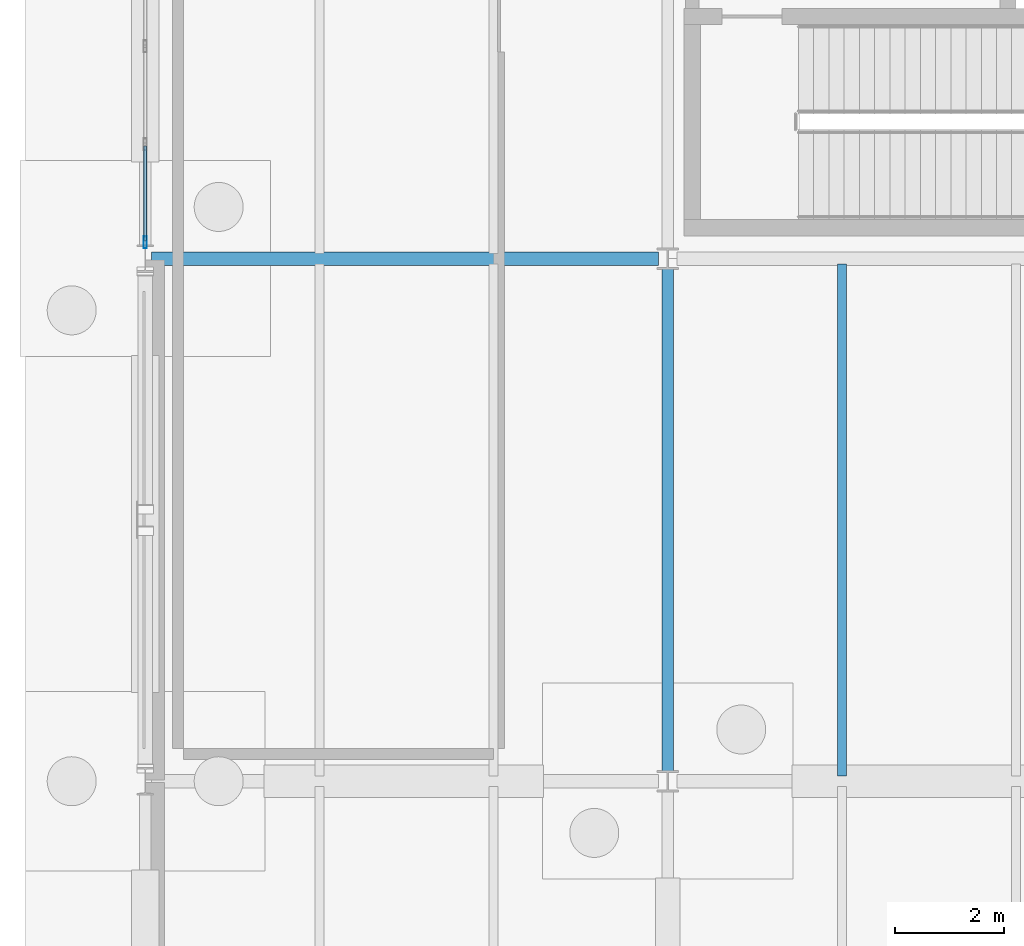
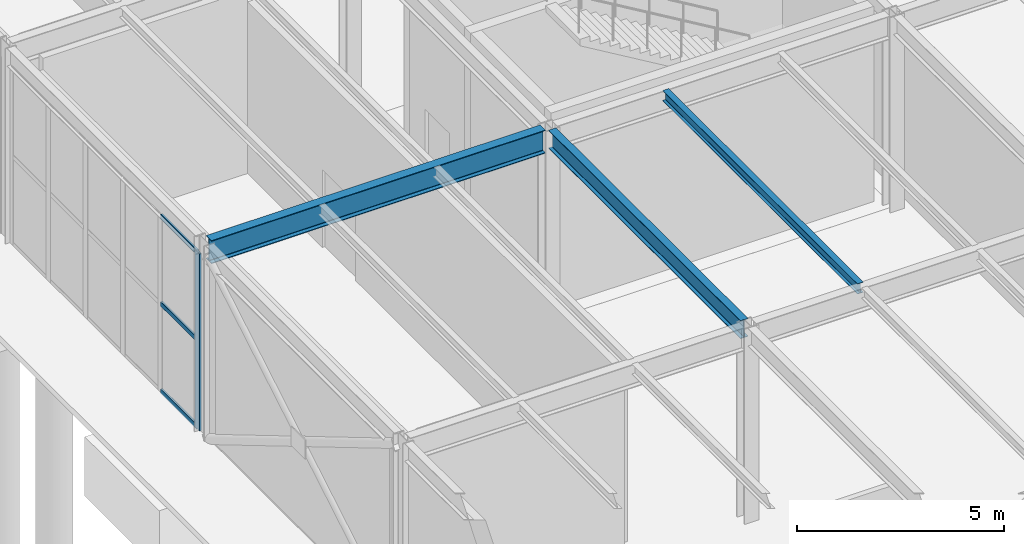
# One storey, part 37 of 142: 4 members, 3 beams, 1 element without a shape of its own.
"""IFC4 building model written with IfcOpenShell, lengths in metres."""

from ifc_helpers import new_model, si_unit, direction, frame, origin, origin_2d, place, context, subcontext, project, spatial, hollow_rectangle, i_section, extrude, material, material_profile, profile_set, type_object, element, aggregate, save


model = new_model("IFC4")

# Units and contexts
model_context = context("Model", 3, precision=1e-05, world=origin(), true_north=direction((0.0, 1.0)))
body_context = subcontext(model_context, "Body", "Model", "MODEL_VIEW")
ifc_project = project(units=[si_unit("LENGTHUNIT", "METRE"), si_unit("AREAUNIT", "SQUARE_METRE"), si_unit("VOLUMEUNIT", "CUBIC_METRE"), si_unit("PLANEANGLEUNIT", "RADIAN"), si_unit("MASSUNIT", "GRAM", prefix="KILO")], contexts=[model_context])

# Site, building, storey
site_placement = place(None, origin())
site = spatial("IfcSite", under=ifc_project, at=site_placement, CompositionType="ELEMENT")
building_placement = place(site_placement, origin())
building = spatial("IfcBuilding", under=site, at=building_placement, Name="Coralgate Yard Interchange", CompositionType="ELEMENT")
storey_placement = place(building_placement, origin())
storey = spatial("IfcBuildingStorey", under=building, at=storey_placement, Name="L00", CompositionType="ELEMENT", Elevation=0.0)

# Beams
ifc_material_1 = material(Name="Structural steel S355J2", Category="steel")
ifc_material_profile_1 = material_profile(ifc_material_1, i_section(OverallWidth=0.209228515625, OverallDepth=0.533203125, WebThickness=0.010009765625, FlangeThickness=0.015625, FilletRadius=0.0126953125, at=origin_2d()), Name="UB 533x210x92")
ifc_profile_set_1 = profile_set([ifc_material_profile_1], Name="Structural steel S355J2")
beam_type_1 = type_object("IfcBeamType", Name="BM-SB-1", PredefinedType="BEAM", material=ifc_profile_set_1)
beam_1_placement = place(storey_placement, frame((9.60009765625, 19.36669921875, 5.4833984375), z_axis=(0.0, 1.0, 0.0), x_axis=(-1.0, 0.0, 0.0)))
element("IfcBeam", 1, at=beam_1_placement, inside=storey, type_object=beam_type_1, Name="L00 primary grid girder X1 Y2-3", PredefinedType="BEAM", context=body_context, shape_type="SweptSolid", body=[
    extrude(i_section(OverallWidth=0.209228515625, OverallDepth=0.533203125, WebThickness=0.010009765625, FlangeThickness=0.015625, FilletRadius=0.0126953125, at=origin_2d()), origin(), (0.0, 0.0, 1.0), 9.2666015625),
])
ifc_material_profile_2 = material_profile(ifc_material_1, i_section(OverallWidth=0.253662109375, OverallDepth=0.68359375, WebThickness=0.012451171875, FlangeThickness=0.01904296875, FilletRadius=0.01513671875, at=origin_2d()), Name="UB 686x254x140")
ifc_profile_set_2 = profile_set([ifc_material_profile_2], Name="Structural steel S355J2")
beam_type_2 = type_object("IfcBeamType", Name="BM-SG-4", PredefinedType="BEAM", material=ifc_profile_set_2)
beam_2_placement = place(storey_placement, frame((0.1201171875, 28.800048828125, 5.408203125), z_axis=(1.0, 0.0, 0.0), x_axis=(0.0, 1.0, 0.0)))
element("IfcBeam", 2, at=beam_2_placement, inside=storey, type_object=beam_type_2, Name="L00 primary grid beam Y3 X0-1", PredefinedType="BEAM", context=body_context, shape_type="SweptSolid", body=[
    extrude(i_section(OverallWidth=0.253662109375, OverallDepth=0.68359375, WebThickness=0.012451171875, FlangeThickness=0.01904296875, FilletRadius=0.01513671875, at=origin_2d()), origin(), (0.0, 0.0, 1.0), 9.310302734375),
])
ifc_material_profile_3 = material_profile(ifc_material_1, i_section(OverallWidth=0.1650390625, OverallDepth=0.303466796875, WebThickness=0.006103515625, FlangeThickness=0.01025390625, FilletRadius=0.0087890625, at=origin_2d()), Name="UB 305x165x40")
ifc_profile_set_3 = profile_set([ifc_material_profile_3], Name="Structural steel S355J2")
beam_type_3 = type_object("IfcBeamType", Name="BM-SJ-1", PredefinedType="JOIST", material=ifc_profile_set_3)
beam_3_placement = place(storey_placement, frame((12.800048828125, 19.296875, 5.598388671875), z_axis=(0.0, 1.0, 0.0), x_axis=(-1.0, 0.0, 0.0)))
element("IfcBeam", 3, at=beam_3_placement, inside=storey, type_object=beam_type_3, Name="L00 composite floor joist 1-2-1", PredefinedType="JOIST", context=body_context, shape_type="SweptSolid", body=[
    extrude(i_section(OverallWidth=0.1650390625, OverallDepth=0.303466796875, WebThickness=0.006103515625, FlangeThickness=0.01025390625, FilletRadius=0.0087890625, at=origin_2d()), origin(), (0.0, 0.0, 1.0), 9.40625),
])

# Curtain wall, members
ifc_material_2 = material(Name="Anodised coastal aluminium and solar-control low-E glass", Category="aluminium")
curtain_wall_type = type_object("IfcCurtainWallType", Name="CW-CW-L00-A", PredefinedType="NOTDEFINED", material=ifc_material_2)
curtain_wall_placement = place(storey_placement, origin())
curtain_wall = element("IfcCurtainWall", 4, at=curtain_wall_placement, inside=storey, type_object=curtain_wall_type, Name="L00 unitised curtain wall CW-L00-W-00-03", PredefinedType="NOTDEFINED")
ifc_material_3 = material(Name="Anodised coastal aluminium 6063-T6", Category="aluminium")
ifc_material_profile_4 = material_profile(ifc_material_3, hollow_rectangle(XDim=0.06005859375, YDim=0.219970703125, WallThickness=0.00390625, InnerFilletRadius=0.00390625, OuterFilletRadius=0.008056640625, at=origin_2d()), Name="ALU 60x220x4")
ifc_profile_set_4 = profile_set([ifc_material_profile_4], Name="Anodised coastal aluminium 6063-T6")
member_type_1 = type_object("IfcMemberType", Name="MB-MUL-220", PredefinedType="MULLION", material=ifc_profile_set_4)
member_1_placement = place(storey_placement, frame((0.0, 29.10009765625, 0.0), z_axis=(0.0, 0.0, 1.0), x_axis=(1.0, 0.0, 0.0)))
member_1 = element("IfcMember", 5, at=member_1_placement, type_object=member_type_1, Name="CW-L00-W-00-03 vertical mullion 1", PredefinedType="MULLION", context=body_context, shape_type="SweptSolid", body=[
    extrude(hollow_rectangle(XDim=0.06005859375, YDim=0.219970703125, WallThickness=0.00390625, InnerFilletRadius=0.00390625, OuterFilletRadius=0.008056640625, at=origin_2d()), origin(), (0.0, 0.0, 1.0), 5.216796875),
])
ifc_material_profile_5 = material_profile(ifc_material_3, hollow_rectangle(XDim=0.06005859375, YDim=0.139892578125, WallThickness=0.00341796875, InnerFilletRadius=0.00341796875, OuterFilletRadius=0.007080078125, at=origin_2d()), Name="ALU 60x140x3.5")
ifc_profile_set_5 = profile_set([ifc_material_profile_5], Name="Anodised coastal aluminium 6063-T6")
member_type_2 = type_object("IfcMemberType", Name="MB-TRN-140", PredefinedType="USERDEFINED", material=ifc_profile_set_5)
member_2_placement = place(storey_placement, frame((0.0, 29.1298828125, 0.034912109375), z_axis=(0.0, 1.0, 0.0), x_axis=(-1.0, 0.0, 0.0)))
member_2 = element("IfcMember", 6, at=member_2_placement, type_object=member_type_2, Name="CW-L00-W-00-03 horizontal transom 1-1", ObjectType="TRANSOM", PredefinedType="USERDEFINED", context=body_context, shape_type="SweptSolid", body=[
    extrude(hollow_rectangle(XDim=0.06005859375, YDim=0.139892578125, WallThickness=0.00341796875, InnerFilletRadius=0.00341796875, OuterFilletRadius=0.007080078125, at=origin_2d()), origin(), (0.0, 0.0, 1.0), 1.740234375),
])
member_3_placement = place(storey_placement, frame((0.0, 29.1298828125, 2.6083984375), z_axis=(0.0, 1.0, 0.0), x_axis=(-1.0, 0.0, 0.0)))
member_3 = element("IfcMember", 7, at=member_3_placement, type_object=member_type_2, Name="CW-L00-W-00-03 horizontal transom 1-2", ObjectType="TRANSOM", PredefinedType="USERDEFINED", context=body_context, shape_type="SweptSolid", body=[
    extrude(hollow_rectangle(XDim=0.06005859375, YDim=0.139892578125, WallThickness=0.00341796875, InnerFilletRadius=0.00341796875, OuterFilletRadius=0.007080078125, at=origin_2d()), origin(), (0.0, 0.0, 1.0), 1.740234375),
])
member_4_placement = place(storey_placement, frame((0.0, 29.1298828125, 5.181884765625), z_axis=(0.0, 1.0, 0.0), x_axis=(-1.0, 0.0, 0.0)))
member_4 = element("IfcMember", 8, at=member_4_placement, type_object=member_type_2, Name="CW-L00-W-00-03 horizontal transom 1-3", ObjectType="TRANSOM", PredefinedType="USERDEFINED", context=body_context, shape_type="SweptSolid", body=[
    extrude(hollow_rectangle(XDim=0.06005859375, YDim=0.139892578125, WallThickness=0.00341796875, InnerFilletRadius=0.00341796875, OuterFilletRadius=0.007080078125, at=origin_2d()), origin(), (0.0, 0.0, 1.0), 1.740234375),
])
aggregate(curtain_wall, [member_1, member_2, member_3, member_4])

save(model, "model.ifc")
